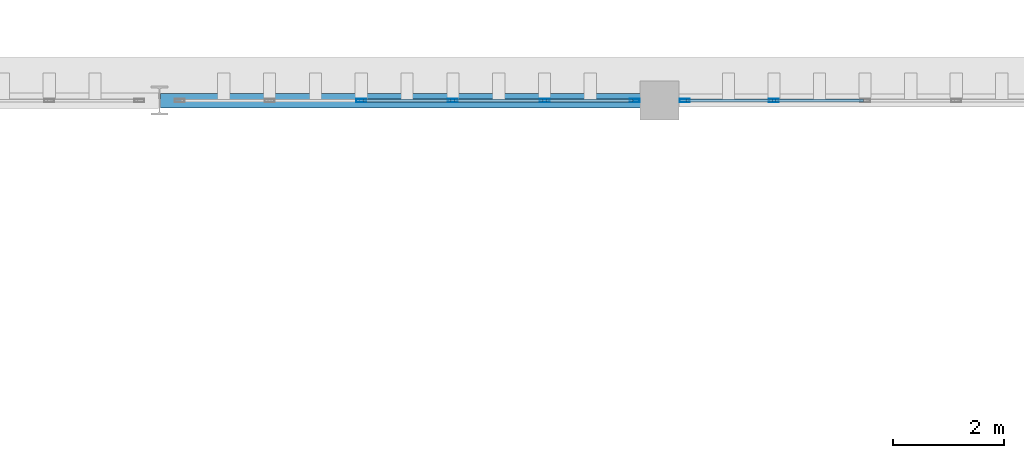
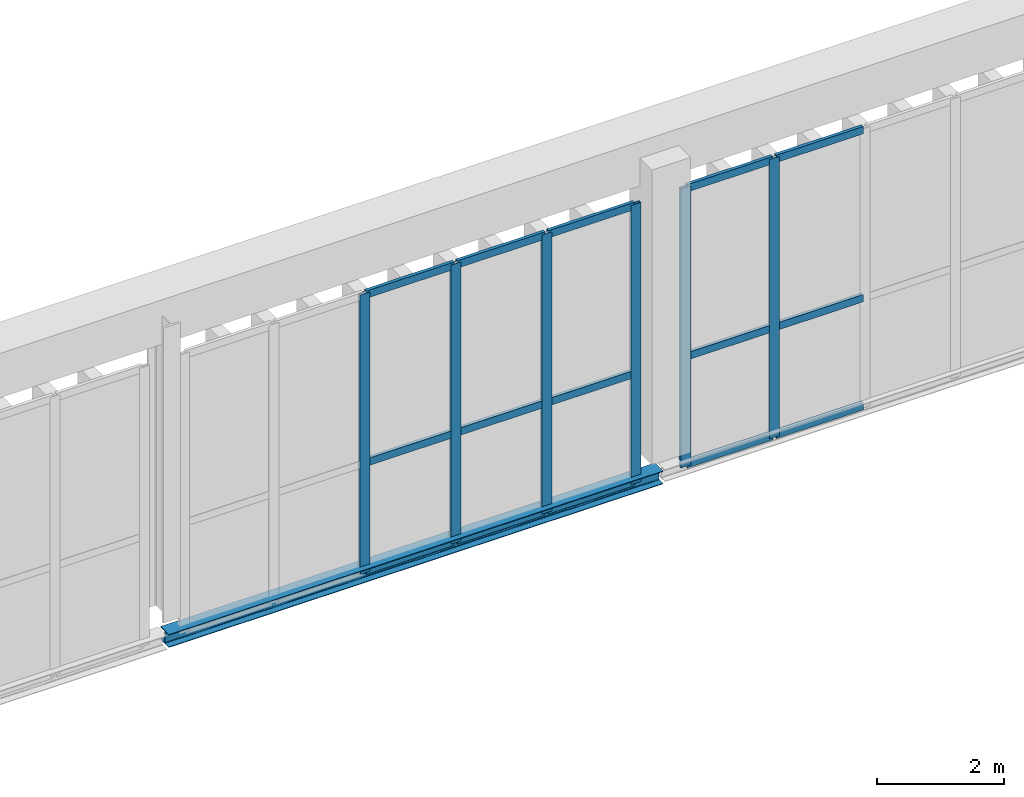
# One storey, part 174 of 237: 21 members, 1 beam, 2 elements without a shape of their own.
"""IFC4 building model written with IfcOpenShell, lengths in metres."""

from ifc_helpers import new_model, si_unit, direction, frame, origin, origin_2d, place, context, subcontext, project, spatial, hollow_rectangle, i_section, extrude, material, layer, layer_set, material_profile, profile_set, type_object, element, aggregate, save


model = new_model("IFC4")

# Units and contexts
model_context = context("Model", 3, precision=1e-05, world=origin(), true_north=direction((0.0, 1.0)))
body_context = subcontext(model_context, "Body", "Model", "MODEL_VIEW")
ifc_project = project(units=[si_unit("LENGTHUNIT", "METRE"), si_unit("AREAUNIT", "SQUARE_METRE"), si_unit("VOLUMEUNIT", "CUBIC_METRE"), si_unit("PLANEANGLEUNIT", "RADIAN"), si_unit("MASSUNIT", "GRAM", prefix="KILO")], contexts=[model_context])

# Site, building, storey
site_placement = place(None, origin())
site = spatial("IfcSite", under=ifc_project, at=site_placement, CompositionType="ELEMENT")
building_placement = place(site_placement, origin())
building = spatial("IfcBuilding", under=site, at=building_placement, Name="Barlavento Convention Centre", CompositionType="ELEMENT")
storey_placement = place(building_placement, frame((0.0, 0.0, 12.0)))
storey = spatial("IfcBuildingStorey", under=building, at=storey_placement, Name="L02", CompositionType="ELEMENT", Elevation=12.0)

# Curtain wall, members
ifc_material_1 = material(Name="Powder-coated aluminium and Low-E glass", Category="aluminium")
ifc_layer = layer(ifc_material_1, 0.18505859375)
ifc_layer_set = layer_set([ifc_layer], Name="ARC-CW-EXH-L02")
curtain_wall_type = type_object("IfcCurtainWallType", Name="ARC-CW-EXH-L02", PredefinedType="NOTDEFINED", material=ifc_layer_set)
curtain_wall_1_placement = place(storey_placement, origin())
curtain_wall_1 = element("IfcCurtainWall", 1, at=curtain_wall_1_placement, inside=storey, type_object=curtain_wall_type, Name="L02 unitised curtain wall CW05", PredefinedType="NOTDEFINED")
ifc_material_2 = material(Name="Powder-coated aluminium", Category="aluminium")
ifc_material_profile_1 = material_profile(ifc_material_2, hollow_rectangle(XDim=0.06005859375, YDim=0.179931640625, WallThickness=0.0048828125, at=origin_2d()), Name="AL-MULL 60x180x5")
ifc_profile_set_1 = profile_set([ifc_material_profile_1], Name="Powder-coated aluminium")
member_type_1 = type_object("IfcMemberType", Name="ARC-CWM-60X180", PredefinedType="MULLION", material=ifc_profile_set_1)
member_1_placement = place(storey_placement, frame((75.631103515625, 135.0, -0.5), z_axis=(0.0, 0.0, 1.0), x_axis=(0.0, 1.0, 0.0)))
member_1 = element("IfcMember", 2, at=member_1_placement, type_object=member_type_1, Name="CW05 mullion 3", PredefinedType="MULLION", context=body_context, shape_type="SweptSolid", body=[
    extrude(hollow_rectangle(XDim=0.06005859375, YDim=0.179931640625, WallThickness=0.0048828125, at=origin_2d()), origin(), (0.0, 0.0, 1.0), 5.35009765625),
])
member_2_placement = place(storey_placement, frame((77.28076171875, 135.0, -0.5), z_axis=(0.0, 0.0, 1.0), x_axis=(0.0, 1.0, 0.0)))
member_2 = element("IfcMember", 3, at=member_2_placement, type_object=member_type_1, Name="CW05 mullion 4", PredefinedType="MULLION", context=body_context, shape_type="SweptSolid", body=[
    extrude(hollow_rectangle(XDim=0.06005859375, YDim=0.179931640625, WallThickness=0.0048828125, at=origin_2d()), origin(), (0.0, 0.0, 1.0), 5.35009765625),
])
member_3_placement = place(storey_placement, frame((78.930419921875, 135.0, -0.5), z_axis=(0.0, 0.0, 1.0), x_axis=(0.0, 1.0, 0.0)))
member_3 = element("IfcMember", 4, at=member_3_placement, type_object=member_type_1, Name="CW05 mullion 5", PredefinedType="MULLION", context=body_context, shape_type="SweptSolid", body=[
    extrude(hollow_rectangle(XDim=0.06005859375, YDim=0.179931640625, WallThickness=0.0048828125, at=origin_2d()), origin(), (0.0, 0.0, 1.0), 5.35009765625),
])
member_4_placement = place(storey_placement, frame((80.550048828125, 135.0, -0.5), z_axis=(0.0, 0.0, 1.0), x_axis=(0.0, 1.0, 0.0)))
member_4 = element("IfcMember", 5, at=member_4_placement, type_object=member_type_1, Name="CW05 mullion 6", PredefinedType="MULLION", context=body_context, shape_type="SweptSolid", body=[
    extrude(hollow_rectangle(XDim=0.06005859375, YDim=0.179931640625, WallThickness=0.0048828125, at=origin_2d()), origin(), (0.0, 0.0, 1.0), 5.35009765625),
])

curtain_wall_2_placement = place(storey_placement, origin())
curtain_wall_2 = element("IfcCurtainWall", 6, at=curtain_wall_2_placement, inside=storey, type_object=curtain_wall_type, Name="L02 unitised curtain wall CW05", PredefinedType="NOTDEFINED")
member_5_placement = place(storey_placement, frame((81.449951171875, 135.0, -0.5), z_axis=(0.0, 0.0, 1.0), x_axis=(0.0, 1.0, 0.0)))
member_5 = element("IfcMember", 7, at=member_5_placement, type_object=member_type_1, Name="CW05 mullion 1", PredefinedType="MULLION", context=body_context, shape_type="SweptSolid", body=[
    extrude(hollow_rectangle(XDim=0.06005859375, YDim=0.179931640625, WallThickness=0.0048828125, at=origin_2d()), origin(), (0.0, 0.0, 1.0), 5.35009765625),
])
member_6_placement = place(storey_placement, frame((83.06005859375, 135.0, -0.5), z_axis=(0.0, 0.0, 1.0), x_axis=(0.0, 1.0, 0.0)))
member_6 = element("IfcMember", 8, at=member_6_placement, type_object=member_type_1, Name="CW05 mullion 2", PredefinedType="MULLION", context=body_context, shape_type="SweptSolid", body=[
    extrude(hollow_rectangle(XDim=0.06005859375, YDim=0.179931640625, WallThickness=0.0048828125, at=origin_2d()), origin(), (0.0, 0.0, 1.0), 5.35009765625),
])

# Member
ifc_material_profile_2 = material_profile(ifc_material_2, hollow_rectangle(XDim=0.06005859375, YDim=0.139892578125, WallThickness=0.00390625, at=origin_2d()), Name="AL-TRAN 60x140x4")
ifc_profile_set_2 = profile_set([ifc_material_profile_2], Name="Powder-coated aluminium")
member_type_2 = type_object("IfcMemberType", Name="ARC-CWT-60X140", PredefinedType="USERDEFINED", material=ifc_profile_set_2)
member_7_placement = place(storey_placement, frame((75.6611328125, 135.0, -0.469970703125), z_axis=(1.0, 0.0, 0.0), x_axis=(0.0, 1.0, 0.0)))
member_7 = element("IfcMember", 9, at=member_7_placement, type_object=member_type_2, Name="CW05 transom 3.1", ObjectType="TRANSOM", PredefinedType="USERDEFINED", context=body_context, shape_type="SweptSolid", body=[
    extrude(hollow_rectangle(XDim=0.06005859375, YDim=0.139892578125, WallThickness=0.00390625, at=origin_2d()), origin(), (0.0, 0.0, 1.0), 1.589599609375),
])

member_8_placement = place(storey_placement, frame((75.6611328125, 135.0, 1.60009765625), z_axis=(1.0, 0.0, 0.0), x_axis=(0.0, 1.0, 0.0)))
member_8 = element("IfcMember", 10, at=member_8_placement, type_object=member_type_2, Name="CW05 transom 3.2", ObjectType="TRANSOM", PredefinedType="USERDEFINED", context=body_context, shape_type="SweptSolid", body=[
    extrude(hollow_rectangle(XDim=0.06005859375, YDim=0.139892578125, WallThickness=0.00390625, at=origin_2d()), origin(), (0.0, 0.0, 1.0), 1.589599609375),
])

member_9_placement = place(storey_placement, frame((75.6611328125, 135.0, 4.820068359375), z_axis=(1.0, 0.0, 0.0), x_axis=(0.0, 1.0, 0.0)))
member_9 = element("IfcMember", 11, at=member_9_placement, type_object=member_type_2, Name="CW05 transom 3.3", ObjectType="TRANSOM", PredefinedType="USERDEFINED", context=body_context, shape_type="SweptSolid", body=[
    extrude(hollow_rectangle(XDim=0.06005859375, YDim=0.139892578125, WallThickness=0.00390625, at=origin_2d()), origin(), (0.0, 0.0, 1.0), 1.589599609375),
])

member_10_placement = place(storey_placement, frame((77.310791015625, 135.0, -0.469970703125), z_axis=(1.0, 0.0, 0.0), x_axis=(0.0, 1.0, 0.0)))
member_10 = element("IfcMember", 12, at=member_10_placement, type_object=member_type_2, Name="CW05 transom 4.1", ObjectType="TRANSOM", PredefinedType="USERDEFINED", context=body_context, shape_type="SweptSolid", body=[
    extrude(hollow_rectangle(XDim=0.06005859375, YDim=0.139892578125, WallThickness=0.00390625, at=origin_2d()), origin(), (0.0, 0.0, 1.0), 1.589599609375),
])

member_11_placement = place(storey_placement, frame((77.310791015625, 135.0, 1.60009765625), z_axis=(1.0, 0.0, 0.0), x_axis=(0.0, 1.0, 0.0)))
member_11 = element("IfcMember", 13, at=member_11_placement, type_object=member_type_2, Name="CW05 transom 4.2", ObjectType="TRANSOM", PredefinedType="USERDEFINED", context=body_context, shape_type="SweptSolid", body=[
    extrude(hollow_rectangle(XDim=0.06005859375, YDim=0.139892578125, WallThickness=0.00390625, at=origin_2d()), origin(), (0.0, 0.0, 1.0), 1.589599609375),
])

member_12_placement = place(storey_placement, frame((77.310791015625, 135.0, 4.820068359375), z_axis=(1.0, 0.0, 0.0), x_axis=(0.0, 1.0, 0.0)))
member_12 = element("IfcMember", 14, at=member_12_placement, type_object=member_type_2, Name="CW05 transom 4.3", ObjectType="TRANSOM", PredefinedType="USERDEFINED", context=body_context, shape_type="SweptSolid", body=[
    extrude(hollow_rectangle(XDim=0.06005859375, YDim=0.139892578125, WallThickness=0.00390625, at=origin_2d()), origin(), (0.0, 0.0, 1.0), 1.589599609375),
])

member_13_placement = place(storey_placement, frame((78.96044921875, 135.0, -0.469970703125), z_axis=(1.0, 0.0, 0.0), x_axis=(0.0, 1.0, 0.0)))
member_13 = element("IfcMember", 15, at=member_13_placement, type_object=member_type_2, Name="CW05 transom 5.1", ObjectType="TRANSOM", PredefinedType="USERDEFINED", context=body_context, shape_type="SweptSolid", body=[
    extrude(hollow_rectangle(XDim=0.06005859375, YDim=0.139892578125, WallThickness=0.00390625, at=origin_2d()), origin(), (0.0, 0.0, 1.0), 1.5595703125),
])

member_14_placement = place(storey_placement, frame((78.96044921875, 135.0, 1.60009765625), z_axis=(1.0, 0.0, 0.0), x_axis=(0.0, 1.0, 0.0)))
member_14 = element("IfcMember", 16, at=member_14_placement, type_object=member_type_2, Name="CW05 transom 5.2", ObjectType="TRANSOM", PredefinedType="USERDEFINED", context=body_context, shape_type="SweptSolid", body=[
    extrude(hollow_rectangle(XDim=0.06005859375, YDim=0.139892578125, WallThickness=0.00390625, at=origin_2d()), origin(), (0.0, 0.0, 1.0), 1.5595703125),
])

member_15_placement = place(storey_placement, frame((78.96044921875, 135.0, 4.820068359375), z_axis=(1.0, 0.0, 0.0), x_axis=(0.0, 1.0, 0.0)))
member_15 = element("IfcMember", 17, at=member_15_placement, type_object=member_type_2, Name="CW05 transom 5.3", ObjectType="TRANSOM", PredefinedType="USERDEFINED", context=body_context, shape_type="SweptSolid", body=[
    extrude(hollow_rectangle(XDim=0.06005859375, YDim=0.139892578125, WallThickness=0.00390625, at=origin_2d()), origin(), (0.0, 0.0, 1.0), 1.5595703125),
])

aggregate(curtain_wall_1, [member_1, member_2, member_3, member_4, member_7, member_8, member_9, member_10, member_11, member_12, member_13, member_14, member_15])

member_16_placement = place(storey_placement, frame((81.47998046875, 135.0, -0.469970703125), z_axis=(1.0, 0.0, 0.0), x_axis=(0.0, 1.0, 0.0)))
member_16 = element("IfcMember", 18, at=member_16_placement, type_object=member_type_2, Name="CW05 transom 1.1", ObjectType="TRANSOM", PredefinedType="USERDEFINED", context=body_context, shape_type="SweptSolid", body=[
    extrude(hollow_rectangle(XDim=0.06005859375, YDim=0.139892578125, WallThickness=0.00390625, at=origin_2d()), origin(), (0.0, 0.0, 1.0), 1.550048828125),
])

member_17_placement = place(storey_placement, frame((81.47998046875, 135.0, 1.60009765625), z_axis=(1.0, 0.0, 0.0), x_axis=(0.0, 1.0, 0.0)))
member_17 = element("IfcMember", 19, at=member_17_placement, type_object=member_type_2, Name="CW05 transom 1.2", ObjectType="TRANSOM", PredefinedType="USERDEFINED", context=body_context, shape_type="SweptSolid", body=[
    extrude(hollow_rectangle(XDim=0.06005859375, YDim=0.139892578125, WallThickness=0.00390625, at=origin_2d()), origin(), (0.0, 0.0, 1.0), 1.550048828125),
])

member_18_placement = place(storey_placement, frame((81.47998046875, 135.0, 4.820068359375), z_axis=(1.0, 0.0, 0.0), x_axis=(0.0, 1.0, 0.0)))
member_18 = element("IfcMember", 20, at=member_18_placement, type_object=member_type_2, Name="CW05 transom 1.3", ObjectType="TRANSOM", PredefinedType="USERDEFINED", context=body_context, shape_type="SweptSolid", body=[
    extrude(hollow_rectangle(XDim=0.06005859375, YDim=0.139892578125, WallThickness=0.00390625, at=origin_2d()), origin(), (0.0, 0.0, 1.0), 1.550048828125),
])

member_19_placement = place(storey_placement, frame((83.090087890625, 135.0, -0.469970703125), z_axis=(1.0, 0.0, 0.0), x_axis=(0.0, 1.0, 0.0)))
member_19 = element("IfcMember", 21, at=member_19_placement, type_object=member_type_2, Name="CW05 transom 2.1", ObjectType="TRANSOM", PredefinedType="USERDEFINED", context=body_context, shape_type="SweptSolid", body=[
    extrude(hollow_rectangle(XDim=0.06005859375, YDim=0.139892578125, WallThickness=0.00390625, at=origin_2d()), origin(), (0.0, 0.0, 1.0), 1.579833984375),
])

member_20_placement = place(storey_placement, frame((83.090087890625, 135.0, 1.60009765625), z_axis=(1.0, 0.0, 0.0), x_axis=(0.0, 1.0, 0.0)))
member_20 = element("IfcMember", 22, at=member_20_placement, type_object=member_type_2, Name="CW05 transom 2.2", ObjectType="TRANSOM", PredefinedType="USERDEFINED", context=body_context, shape_type="SweptSolid", body=[
    extrude(hollow_rectangle(XDim=0.06005859375, YDim=0.139892578125, WallThickness=0.00390625, at=origin_2d()), origin(), (0.0, 0.0, 1.0), 1.579833984375),
])

member_21_placement = place(storey_placement, frame((83.090087890625, 135.0, 4.820068359375), z_axis=(1.0, 0.0, 0.0), x_axis=(0.0, 1.0, 0.0)))
member_21 = element("IfcMember", 23, at=member_21_placement, type_object=member_type_2, Name="CW05 transom 2.3", ObjectType="TRANSOM", PredefinedType="USERDEFINED", context=body_context, shape_type="SweptSolid", body=[
    extrude(hollow_rectangle(XDim=0.06005859375, YDim=0.139892578125, WallThickness=0.00390625, at=origin_2d()), origin(), (0.0, 0.0, 1.0), 1.579833984375),
])

aggregate(curtain_wall_2, [member_5, member_6, member_16, member_17, member_18, member_19, member_20, member_21])

# Beam
ifc_material_3 = material(Name="Steel S355", Category="steel")
ifc_material_profile_3 = material_profile(ifc_material_3, i_section(OverallWidth=0.260009765625, OverallDepth=0.25, WebThickness=0.007568359375, FlangeThickness=0.012451171875, FilletRadius=0.02392578125, at=origin_2d()), Name="HEA 260")
ifc_profile_set_3 = profile_set([ifc_material_profile_3], Name="Steel S355")
beam_type = type_object("IfcBeamType", Name="STR-BM-SPN-HEA260", PredefinedType="SPANDREL", material=ifc_profile_set_3)
beam_placement = place(storey_placement, frame((72.02001953125, 135.0, -0.485107421875), z_axis=(1.0, 0.0, 0.0), x_axis=(0.0, 1.0, 0.0)))
element("IfcBeam", 24, at=beam_placement, inside=storey, type_object=beam_type, Name="L02 primary girder SP04", PredefinedType="SPANDREL", context=body_context, shape_type="SweptSolid", body=[
    extrude(i_section(OverallWidth=0.260009765625, OverallDepth=0.25, WebThickness=0.007568359375, FlangeThickness=0.012451171875, FilletRadius=0.02392578125, at=origin_2d()), origin(), (0.0, 0.0, 1.0), 8.9599609375),
])

save(model, "model.ifc")
